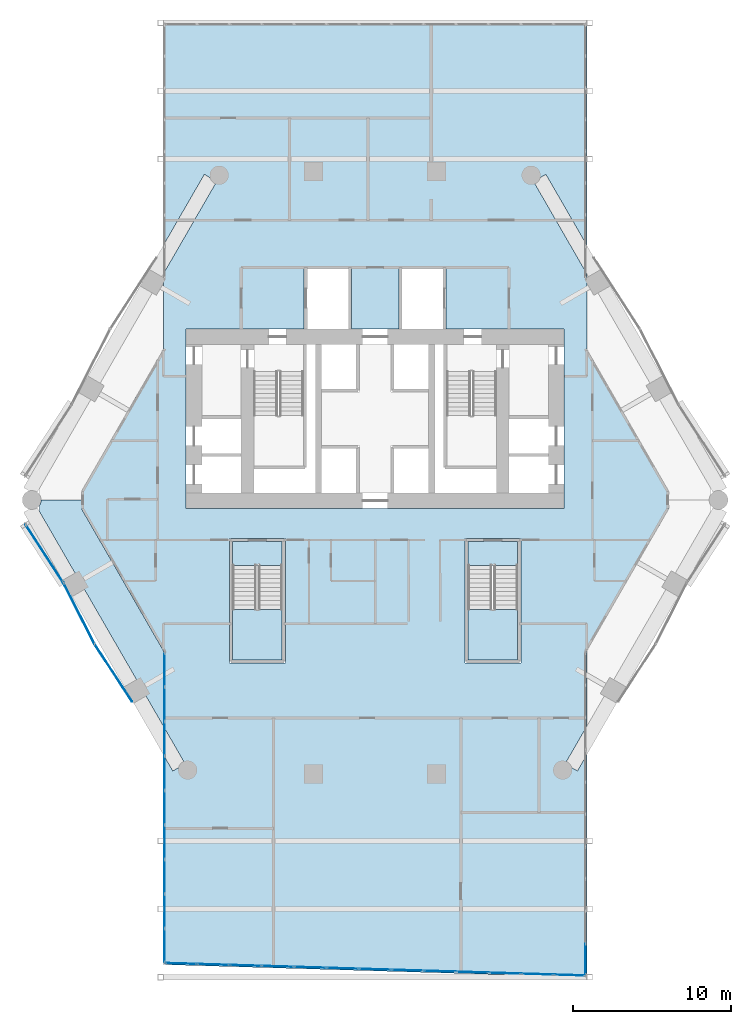
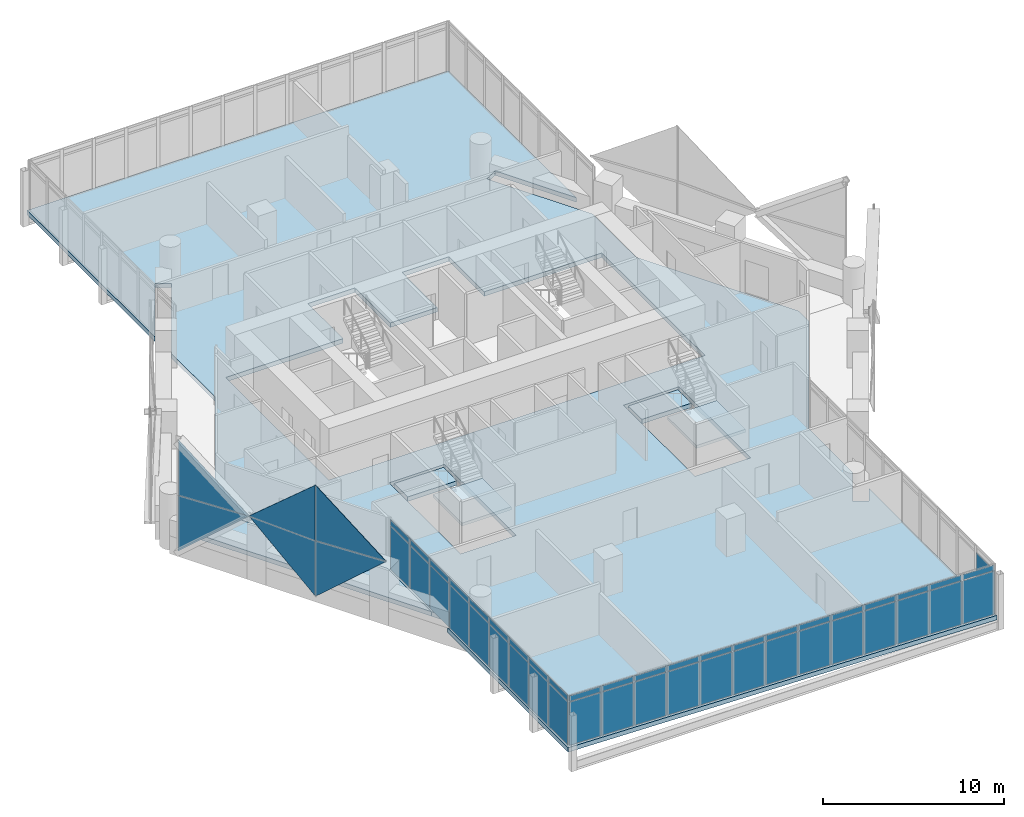
# One storey, part 24 of 36: 51 plates, 6 slabs, 9 elements without a shape of their own.
"""IFC4 building model written with IfcOpenShell, lengths in metres."""

from ifc_helpers import new_model, si_unit, direction, frame, origin, origin_2d, place, context, subcontext, project, spatial, polyline, rectangle, outline, extrude, material, layer, layer_set, type_object, element, aggregate, save


model = new_model("IFC4")

# Units and contexts
model_context = context("Model", 3, precision=1e-05, world=origin(), true_north=direction((0.0, 1.0)))
body_context = subcontext(model_context, "Body", "Model", "MODEL_VIEW")
ifc_project = project(units=[si_unit("LENGTHUNIT", "METRE"), si_unit("AREAUNIT", "SQUARE_METRE"), si_unit("VOLUMEUNIT", "CUBIC_METRE"), si_unit("PLANEANGLEUNIT", "RADIAN"), si_unit("MASSUNIT", "GRAM", prefix="KILO")], contexts=[model_context])

# Site, building, storey
site_placement = place(None, origin())
site = spatial("IfcSite", under=ifc_project, at=site_placement, CompositionType="ELEMENT")
building_placement = place(site_placement, origin())
building = spatial("IfcBuilding", under=site, at=building_placement, Name="Ostrander Bayou Hotel Tower", CompositionType="ELEMENT")
storey_placement = place(building_placement, frame((0.0, 0.0, 138.5)))
storey = spatial("IfcBuildingStorey", under=building, at=storey_placement, Name="L34", CompositionType="ELEMENT", Elevation=138.5)

# Curtain wall, plates
ifc_material_1 = material(Name="Aluminium and clear glass", Category="aluminium")
curtain_wall_type_1 = type_object("IfcCurtainWallType", Name="CW-BAR glazed wall", PredefinedType="NOTDEFINED", material=ifc_material_1)
curtain_wall_1_placement = place(storey_placement, origin())
curtain_wall_1 = element("IfcCurtainWall", 1, at=curtain_wall_1_placement, inside=storey, type_object=curtain_wall_type_1, Name="CW-BAR L34:SB3S:E", PredefinedType="NOTDEFINED")
ifc_material_2 = material(Name="Clear laminated glass", Category="glass")
ifc_layer_1 = layer(ifc_material_2, 0.028076171875)
ifc_layer_set_1 = layer_set([ifc_layer_1], Name="CW-BR glazing panel 28 mm")
plate_type_1 = type_object("IfcPlateType", Name="CW-BR glazing panel 28 mm", PredefinedType="CURTAIN_PANEL", material=ifc_layer_set_1)
plate_1_placement = place(storey_placement, frame((-13.3671875, -11.95703125, 0.06005859375), z_axis=(0.0, 0.0, 1.0), x_axis=(0.0, -1.0, 0.0)))
plate_1 = element("IfcPlate", 2, at=plate_1_placement, type_object=plate_type_1, Name="CW-BAR panel 1.1", PredefinedType="CURTAIN_PANEL", context=body_context, shape_type="SweptSolid", body=[
    extrude(rectangle(XDim=2.099365234375, YDim=0.028076171875, at=origin_2d()), origin(), (0.0, 0.0, 1.0), 2.909912109375),
])
plate_2_placement = place(storey_placement, frame((-13.3671875, -11.95703125, 3.02978515625), z_axis=(0.0, 0.0, 1.0), x_axis=(0.0, -1.0, 0.0)))
plate_2 = element("IfcPlate", 3, at=plate_2_placement, type_object=plate_type_1, Name="CW-BAR panel 1.2", PredefinedType="CURTAIN_PANEL", context=body_context, shape_type="SweptSolid", body=[
    extrude(rectangle(XDim=2.099365234375, YDim=0.028076171875, at=origin_2d()), origin(), (0.0, 0.0, 1.0), 0.360107421875),
])
plate_3_placement = place(storey_placement, frame((-13.3671875, -14.13134765625, 0.06005859375), z_axis=(0.0, 0.0, 1.0), x_axis=(0.0, -1.0, 0.0)))
plate_3 = element("IfcPlate", 4, at=plate_3_placement, type_object=plate_type_1, Name="CW-BAR panel 2.1", PredefinedType="CURTAIN_PANEL", context=body_context, shape_type="SweptSolid", body=[
    extrude(rectangle(XDim=2.12939453125, YDim=0.028076171875, at=origin_2d()), origin(), (0.0, 0.0, 1.0), 2.909912109375),
])
plate_4_placement = place(storey_placement, frame((-13.3671875, -14.13134765625, 3.02978515625), z_axis=(0.0, 0.0, 1.0), x_axis=(0.0, -1.0, 0.0)))
plate_4 = element("IfcPlate", 5, at=plate_4_placement, type_object=plate_type_1, Name="CW-BAR panel 2.2", PredefinedType="CURTAIN_PANEL", context=body_context, shape_type="SweptSolid", body=[
    extrude(rectangle(XDim=2.12939453125, YDim=0.028076171875, at=origin_2d()), origin(), (0.0, 0.0, 1.0), 0.360107421875),
])
plate_5_placement = place(storey_placement, frame((-13.3671875, -16.32080078125, 0.06005859375), z_axis=(0.0, 0.0, 1.0), x_axis=(0.0, -1.0, 0.0)))
plate_5 = element("IfcPlate", 6, at=plate_5_placement, type_object=plate_type_1, Name="CW-BAR panel 3.1", PredefinedType="CURTAIN_PANEL", context=body_context, shape_type="SweptSolid", body=[
    extrude(rectangle(XDim=2.12939453125, YDim=0.028076171875, at=origin_2d()), origin(), (0.0, 0.0, 1.0), 2.909912109375),
])
plate_6_placement = place(storey_placement, frame((-13.3671875, -16.32080078125, 3.02978515625), z_axis=(0.0, 0.0, 1.0), x_axis=(0.0, -1.0, 0.0)))
plate_6 = element("IfcPlate", 7, at=plate_6_placement, type_object=plate_type_1, Name="CW-BAR panel 3.2", PredefinedType="CURTAIN_PANEL", context=body_context, shape_type="SweptSolid", body=[
    extrude(rectangle(XDim=2.12939453125, YDim=0.028076171875, at=origin_2d()), origin(), (0.0, 0.0, 1.0), 0.360107421875),
])
plate_7_placement = place(storey_placement, frame((-13.3671875, -18.51025390625, 0.06005859375), z_axis=(0.0, 0.0, 1.0), x_axis=(0.0, -1.0, 0.0)))
plate_7 = element("IfcPlate", 8, at=plate_7_placement, type_object=plate_type_1, Name="CW-BAR panel 4.1", PredefinedType="CURTAIN_PANEL", context=body_context, shape_type="SweptSolid", body=[
    extrude(rectangle(XDim=2.12939453125, YDim=0.028076171875, at=origin_2d()), origin(), (0.0, 0.0, 1.0), 2.909912109375),
])
plate_8_placement = place(storey_placement, frame((-13.3671875, -18.51025390625, 3.02978515625), z_axis=(0.0, 0.0, 1.0), x_axis=(0.0, -1.0, 0.0)))
plate_8 = element("IfcPlate", 9, at=plate_8_placement, type_object=plate_type_1, Name="CW-BAR panel 4.2", PredefinedType="CURTAIN_PANEL", context=body_context, shape_type="SweptSolid", body=[
    extrude(rectangle(XDim=2.12939453125, YDim=0.028076171875, at=origin_2d()), origin(), (0.0, 0.0, 1.0), 0.360107421875),
])
plate_9_placement = place(storey_placement, frame((-13.3671875, -20.69970703125, 0.06005859375), z_axis=(0.0, 0.0, 1.0), x_axis=(0.0, -1.0, 0.0)))
plate_9 = element("IfcPlate", 10, at=plate_9_placement, type_object=plate_type_1, Name="CW-BAR panel 5.1", PredefinedType="CURTAIN_PANEL", context=body_context, shape_type="SweptSolid", body=[
    extrude(rectangle(XDim=2.12939453125, YDim=0.028076171875, at=origin_2d()), origin(), (0.0, 0.0, 1.0), 2.909912109375),
])
plate_10_placement = place(storey_placement, frame((-13.3671875, -20.69970703125, 3.02978515625), z_axis=(0.0, 0.0, 1.0), x_axis=(0.0, -1.0, 0.0)))
plate_10 = element("IfcPlate", 11, at=plate_10_placement, type_object=plate_type_1, Name="CW-BAR panel 5.2", PredefinedType="CURTAIN_PANEL", context=body_context, shape_type="SweptSolid", body=[
    extrude(rectangle(XDim=2.12939453125, YDim=0.028076171875, at=origin_2d()), origin(), (0.0, 0.0, 1.0), 0.360107421875),
])
plate_11_placement = place(storey_placement, frame((-13.3671875, -22.88916015625, 0.06005859375), z_axis=(0.0, 0.0, 1.0), x_axis=(0.0, -1.0, 0.0)))
plate_11 = element("IfcPlate", 12, at=plate_11_placement, type_object=plate_type_1, Name="CW-BAR panel 6.1", PredefinedType="CURTAIN_PANEL", context=body_context, shape_type="SweptSolid", body=[
    extrude(rectangle(XDim=2.12939453125, YDim=0.028076171875, at=origin_2d()), origin(), (0.0, 0.0, 1.0), 2.909912109375),
])
plate_12_placement = place(storey_placement, frame((-13.3671875, -22.88916015625, 3.02978515625), z_axis=(0.0, 0.0, 1.0), x_axis=(0.0, -1.0, 0.0)))
plate_12 = element("IfcPlate", 13, at=plate_12_placement, type_object=plate_type_1, Name="CW-BAR panel 6.2", PredefinedType="CURTAIN_PANEL", context=body_context, shape_type="SweptSolid", body=[
    extrude(rectangle(XDim=2.12939453125, YDim=0.028076171875, at=origin_2d()), origin(), (0.0, 0.0, 1.0), 0.360107421875),
])
plate_13_placement = place(storey_placement, frame((-13.3671875, -25.07861328125, 0.06005859375), z_axis=(0.0, 0.0, 1.0), x_axis=(0.0, -1.0, 0.0)))
plate_13 = element("IfcPlate", 14, at=plate_13_placement, type_object=plate_type_1, Name="CW-BAR panel 7.1", PredefinedType="CURTAIN_PANEL", context=body_context, shape_type="SweptSolid", body=[
    extrude(rectangle(XDim=2.12939453125, YDim=0.028076171875, at=origin_2d()), origin(), (0.0, 0.0, 1.0), 2.909912109375),
])
plate_14_placement = place(storey_placement, frame((-13.3671875, -25.07861328125, 3.02978515625), z_axis=(0.0, 0.0, 1.0), x_axis=(0.0, -1.0, 0.0)))
plate_14 = element("IfcPlate", 15, at=plate_14_placement, type_object=plate_type_1, Name="CW-BAR panel 7.2", PredefinedType="CURTAIN_PANEL", context=body_context, shape_type="SweptSolid", body=[
    extrude(rectangle(XDim=2.12939453125, YDim=0.028076171875, at=origin_2d()), origin(), (0.0, 0.0, 1.0), 0.360107421875),
])
plate_15_placement = place(storey_placement, frame((-13.3671875, -27.26806640625, 0.06005859375), z_axis=(0.0, 0.0, 1.0), x_axis=(0.0, -1.0, 0.0)))
plate_15 = element("IfcPlate", 16, at=plate_15_placement, type_object=plate_type_1, Name="CW-BAR panel 8.1", PredefinedType="CURTAIN_PANEL", context=body_context, shape_type="SweptSolid", body=[
    extrude(rectangle(XDim=2.12939453125, YDim=0.028076171875, at=origin_2d()), origin(), (0.0, 0.0, 1.0), 2.909912109375),
])
plate_16_placement = place(storey_placement, frame((-13.3671875, -27.26806640625, 3.02978515625), z_axis=(0.0, 0.0, 1.0), x_axis=(0.0, -1.0, 0.0)))
plate_16 = element("IfcPlate", 17, at=plate_16_placement, type_object=plate_type_1, Name="CW-BAR panel 8.2", PredefinedType="CURTAIN_PANEL", context=body_context, shape_type="SweptSolid", body=[
    extrude(rectangle(XDim=2.12939453125, YDim=0.028076171875, at=origin_2d()), origin(), (0.0, 0.0, 1.0), 0.360107421875),
])
plate_17_placement = place(storey_placement, frame((-13.3671875, -29.4423828125, 0.06005859375), z_axis=(0.0, 0.0, 1.0), x_axis=(0.0, -1.0, 0.0)))
plate_17 = element("IfcPlate", 18, at=plate_17_placement, type_object=plate_type_1, Name="CW-BAR panel 9.1", PredefinedType="CURTAIN_PANEL", context=body_context, shape_type="SweptSolid", body=[
    extrude(rectangle(XDim=2.099365234375, YDim=0.028076171875, at=origin_2d()), origin(), (0.0, 0.0, 1.0), 2.909912109375),
])
plate_18_placement = place(storey_placement, frame((-13.3671875, -29.4423828125, 3.02978515625), z_axis=(0.0, 0.0, 1.0), x_axis=(0.0, -1.0, 0.0)))
plate_18 = element("IfcPlate", 19, at=plate_18_placement, type_object=plate_type_1, Name="CW-BAR panel 9.2", PredefinedType="CURTAIN_PANEL", context=body_context, shape_type="SweptSolid", body=[
    extrude(rectangle(XDim=2.099365234375, YDim=0.028076171875, at=origin_2d()), origin(), (0.0, 0.0, 1.0), 0.360107421875),
])
aggregate(curtain_wall_1, [plate_1, plate_2, plate_3, plate_4, plate_5, plate_6, plate_7, plate_8, plate_9, plate_10, plate_11, plate_12, plate_13, plate_14, plate_15, plate_16, plate_17, plate_18])

curtain_wall_2_placement = place(storey_placement, origin())
curtain_wall_2 = element("IfcCurtainWall", 20, at=curtain_wall_2_placement, inside=storey, type_object=curtain_wall_type_1, Name="CW-BAR L34:SB3S:T", PredefinedType="NOTDEFINED")
plate_19_placement = place(storey_placement, frame((-12.323974609375, -30.583251953125, 0.06005859375), z_axis=(0.0, 0.0, 1.0), x_axis=(0.999557482631, -0.029746242041, 0.0)))
plate_19 = element("IfcPlate", 21, at=plate_19_placement, type_object=plate_type_1, Name="CW-BAR panel 1.1", PredefinedType="CURTAIN_PANEL", context=body_context, shape_type="SweptSolid", body=[
    extrude(rectangle(XDim=1.96728515625, YDim=0.028076171875, at=origin_2d()), origin(), (0.0, 0.0, 1.0), 2.909912109375),
])
plate_20_placement = place(storey_placement, frame((-12.323974609375, -30.583251953125, 3.02978515625), z_axis=(0.0, 0.0, 1.0), x_axis=(0.999557482631, -0.029746242041, 0.0)))
plate_20 = element("IfcPlate", 22, at=plate_20_placement, type_object=plate_type_1, Name="CW-BAR panel 1.2", PredefinedType="CURTAIN_PANEL", context=body_context, shape_type="SweptSolid", body=[
    extrude(rectangle(XDim=1.96728515625, YDim=0.028076171875, at=origin_2d()), origin(), (0.0, 0.0, 1.0), 0.360107421875),
])
plate_21_placement = place(storey_placement, frame((-10.282470703125, -30.64404296875, 0.06005859375), z_axis=(0.0, 0.0, 1.0), x_axis=(0.999557482631, -0.029746242041, 0.0)))
plate_21 = element("IfcPlate", 23, at=plate_21_placement, type_object=plate_type_1, Name="CW-BAR panel 2.1", PredefinedType="CURTAIN_PANEL", context=body_context, shape_type="SweptSolid", body=[
    extrude(rectangle(XDim=1.997314453125, YDim=0.028076171875, at=origin_2d()), origin(), (0.0, 0.0, 1.0), 2.909912109375),
])
plate_22_placement = place(storey_placement, frame((-10.282470703125, -30.64404296875, 3.02978515625), z_axis=(0.0, 0.0, 1.0), x_axis=(0.999557482631, -0.029746242041, 0.0)))
plate_22 = element("IfcPlate", 24, at=plate_22_placement, type_object=plate_type_1, Name="CW-BAR panel 2.2", PredefinedType="CURTAIN_PANEL", context=body_context, shape_type="SweptSolid", body=[
    extrude(rectangle(XDim=1.997314453125, YDim=0.028076171875, at=origin_2d()), origin(), (0.0, 0.0, 1.0), 0.360107421875),
])
plate_23_placement = place(storey_placement, frame((-8.22607421875, -30.705078125, 0.06005859375), z_axis=(0.0, 0.0, 1.0), x_axis=(0.999557482631, -0.029746242041, 0.0)))
plate_23 = element("IfcPlate", 25, at=plate_23_placement, type_object=plate_type_1, Name="CW-BAR panel 3.1", PredefinedType="CURTAIN_PANEL", context=body_context, shape_type="SweptSolid", body=[
    extrude(rectangle(XDim=1.997314453125, YDim=0.028076171875, at=origin_2d()), origin(), (0.0, 0.0, 1.0), 2.909912109375),
])
plate_24_placement = place(storey_placement, frame((-8.22607421875, -30.705078125, 3.02978515625), z_axis=(0.0, 0.0, 1.0), x_axis=(0.999557482631, -0.029746242041, 0.0)))
plate_24 = element("IfcPlate", 26, at=plate_24_placement, type_object=plate_type_1, Name="CW-BAR panel 3.2", PredefinedType="CURTAIN_PANEL", context=body_context, shape_type="SweptSolid", body=[
    extrude(rectangle(XDim=1.997314453125, YDim=0.028076171875, at=origin_2d()), origin(), (0.0, 0.0, 1.0), 0.360107421875),
])
plate_25_placement = place(storey_placement, frame((-6.16943359375, -30.766357421875, 0.06005859375), z_axis=(0.0, 0.0, 1.0), x_axis=(0.999557482631, -0.029746242041, 0.0)))
plate_25 = element("IfcPlate", 27, at=plate_25_placement, type_object=plate_type_1, Name="CW-BAR panel 4.1", PredefinedType="CURTAIN_PANEL", context=body_context, shape_type="SweptSolid", body=[
    extrude(rectangle(XDim=1.997314453125, YDim=0.028076171875, at=origin_2d()), origin(), (0.0, 0.0, 1.0), 2.909912109375),
])
plate_26_placement = place(storey_placement, frame((-6.16943359375, -30.766357421875, 3.02978515625), z_axis=(0.0, 0.0, 1.0), x_axis=(0.999557482631, -0.029746242041, 0.0)))
plate_26 = element("IfcPlate", 28, at=plate_26_placement, type_object=plate_type_1, Name="CW-BAR panel 4.2", PredefinedType="CURTAIN_PANEL", context=body_context, shape_type="SweptSolid", body=[
    extrude(rectangle(XDim=1.997314453125, YDim=0.028076171875, at=origin_2d()), origin(), (0.0, 0.0, 1.0), 0.360107421875),
])
plate_27_placement = place(storey_placement, frame((-4.113037109375, -30.82763671875, 0.06005859375), z_axis=(0.0, 0.0, 1.0), x_axis=(0.999557482631, -0.029746242041, 0.0)))
plate_27 = element("IfcPlate", 29, at=plate_27_placement, type_object=plate_type_1, Name="CW-BAR panel 5.1", PredefinedType="CURTAIN_PANEL", context=body_context, shape_type="SweptSolid", body=[
    extrude(rectangle(XDim=1.997314453125, YDim=0.028076171875, at=origin_2d()), origin(), (0.0, 0.0, 1.0), 2.909912109375),
])
plate_28_placement = place(storey_placement, frame((-4.113037109375, -30.82763671875, 3.02978515625), z_axis=(0.0, 0.0, 1.0), x_axis=(0.999557482631, -0.029746242041, 0.0)))
plate_28 = element("IfcPlate", 30, at=plate_28_placement, type_object=plate_type_1, Name="CW-BAR panel 5.2", PredefinedType="CURTAIN_PANEL", context=body_context, shape_type="SweptSolid", body=[
    extrude(rectangle(XDim=1.997314453125, YDim=0.028076171875, at=origin_2d()), origin(), (0.0, 0.0, 1.0), 0.360107421875),
])
plate_29_placement = place(storey_placement, frame((-2.056396484375, -30.888916015625, 0.06005859375), z_axis=(0.0, 0.0, 1.0), x_axis=(0.999557482631, -0.029746242041, 0.0)))
plate_29 = element("IfcPlate", 31, at=plate_29_placement, type_object=plate_type_1, Name="CW-BAR panel 6.1", PredefinedType="CURTAIN_PANEL", context=body_context, shape_type="SweptSolid", body=[
    extrude(rectangle(XDim=1.997314453125, YDim=0.028076171875, at=origin_2d()), origin(), (0.0, 0.0, 1.0), 2.909912109375),
])
plate_30_placement = place(storey_placement, frame((-2.056396484375, -30.888916015625, 3.02978515625), z_axis=(0.0, 0.0, 1.0), x_axis=(0.999557482631, -0.029746242041, 0.0)))
plate_30 = element("IfcPlate", 32, at=plate_30_placement, type_object=plate_type_1, Name="CW-BAR panel 6.2", PredefinedType="CURTAIN_PANEL", context=body_context, shape_type="SweptSolid", body=[
    extrude(rectangle(XDim=1.997314453125, YDim=0.028076171875, at=origin_2d()), origin(), (0.0, 0.0, 1.0), 0.360107421875),
])
plate_31_placement = place(storey_placement, frame((0.0, -30.949951171875, 0.06005859375), z_axis=(0.0, 0.0, 1.0), x_axis=(0.999557482631, -0.029746242041, 0.0)))
plate_31 = element("IfcPlate", 33, at=plate_31_placement, type_object=plate_type_1, Name="CW-BAR panel 7.1", PredefinedType="CURTAIN_PANEL", context=body_context, shape_type="SweptSolid", body=[
    extrude(rectangle(XDim=1.997314453125, YDim=0.028076171875, at=origin_2d()), origin(), (0.0, 0.0, 1.0), 2.909912109375),
])
plate_32_placement = place(storey_placement, frame((0.0, -30.949951171875, 3.02978515625), z_axis=(0.0, 0.0, 1.0), x_axis=(0.999557482631, -0.029746242041, 0.0)))
plate_32 = element("IfcPlate", 34, at=plate_32_placement, type_object=plate_type_1, Name="CW-BAR panel 7.2", PredefinedType="CURTAIN_PANEL", context=body_context, shape_type="SweptSolid", body=[
    extrude(rectangle(XDim=1.997314453125, YDim=0.028076171875, at=origin_2d()), origin(), (0.0, 0.0, 1.0), 0.360107421875),
])
plate_33_placement = place(storey_placement, frame((2.056396484375, -31.01123046875, 0.06005859375), z_axis=(0.0, 0.0, 1.0), x_axis=(0.999557482631, -0.029746242041, 0.0)))
plate_33 = element("IfcPlate", 35, at=plate_33_placement, type_object=plate_type_1, Name="CW-BAR panel 8.1", PredefinedType="CURTAIN_PANEL", context=body_context, shape_type="SweptSolid", body=[
    extrude(rectangle(XDim=1.997314453125, YDim=0.028076171875, at=origin_2d()), origin(), (0.0, 0.0, 1.0), 2.909912109375),
])
plate_34_placement = place(storey_placement, frame((2.056396484375, -31.01123046875, 3.02978515625), z_axis=(0.0, 0.0, 1.0), x_axis=(0.999557482631, -0.029746242041, 0.0)))
plate_34 = element("IfcPlate", 36, at=plate_34_placement, type_object=plate_type_1, Name="CW-BAR panel 8.2", PredefinedType="CURTAIN_PANEL", context=body_context, shape_type="SweptSolid", body=[
    extrude(rectangle(XDim=1.997314453125, YDim=0.028076171875, at=origin_2d()), origin(), (0.0, 0.0, 1.0), 0.360107421875),
])
plate_35_placement = place(storey_placement, frame((4.113037109375, -31.072509765625, 0.06005859375), z_axis=(0.0, 0.0, 1.0), x_axis=(0.999557482631, -0.029746242041, 0.0)))
plate_35 = element("IfcPlate", 37, at=plate_35_placement, type_object=plate_type_1, Name="CW-BAR panel 9.1", PredefinedType="CURTAIN_PANEL", context=body_context, shape_type="SweptSolid", body=[
    extrude(rectangle(XDim=1.997314453125, YDim=0.028076171875, at=origin_2d()), origin(), (0.0, 0.0, 1.0), 2.909912109375),
])
plate_36_placement = place(storey_placement, frame((4.113037109375, -31.072509765625, 3.02978515625), z_axis=(0.0, 0.0, 1.0), x_axis=(0.999557482631, -0.029746242041, 0.0)))
plate_36 = element("IfcPlate", 38, at=plate_36_placement, type_object=plate_type_1, Name="CW-BAR panel 9.2", PredefinedType="CURTAIN_PANEL", context=body_context, shape_type="SweptSolid", body=[
    extrude(rectangle(XDim=1.997314453125, YDim=0.028076171875, at=origin_2d()), origin(), (0.0, 0.0, 1.0), 0.360107421875),
])
plate_37_placement = place(storey_placement, frame((6.16943359375, -31.133544921875, 0.06005859375), z_axis=(0.0, 0.0, 1.0), x_axis=(0.999557482631, -0.029746242041, 0.0)))
plate_37 = element("IfcPlate", 39, at=plate_37_placement, type_object=plate_type_1, Name="CW-BAR panel 10.1", PredefinedType="CURTAIN_PANEL", context=body_context, shape_type="SweptSolid", body=[
    extrude(rectangle(XDim=1.997314453125, YDim=0.028076171875, at=origin_2d()), origin(), (0.0, 0.0, 1.0), 2.909912109375),
])
plate_38_placement = place(storey_placement, frame((6.16943359375, -31.133544921875, 3.02978515625), z_axis=(0.0, 0.0, 1.0), x_axis=(0.999557482631, -0.029746242041, 0.0)))
plate_38 = element("IfcPlate", 40, at=plate_38_placement, type_object=plate_type_1, Name="CW-BAR panel 10.2", PredefinedType="CURTAIN_PANEL", context=body_context, shape_type="SweptSolid", body=[
    extrude(rectangle(XDim=1.997314453125, YDim=0.028076171875, at=origin_2d()), origin(), (0.0, 0.0, 1.0), 0.360107421875),
])
plate_39_placement = place(storey_placement, frame((8.22607421875, -31.19482421875, 0.06005859375), z_axis=(0.0, 0.0, 1.0), x_axis=(0.999557482631, -0.029746242041, 0.0)))
plate_39 = element("IfcPlate", 41, at=plate_39_placement, type_object=plate_type_1, Name="CW-BAR panel 11.1", PredefinedType="CURTAIN_PANEL", context=body_context, shape_type="SweptSolid", body=[
    extrude(rectangle(XDim=1.997314453125, YDim=0.028076171875, at=origin_2d()), origin(), (0.0, 0.0, 1.0), 2.909912109375),
])
plate_40_placement = place(storey_placement, frame((8.22607421875, -31.19482421875, 3.02978515625), z_axis=(0.0, 0.0, 1.0), x_axis=(0.999557482631, -0.029746242041, 0.0)))
plate_40 = element("IfcPlate", 42, at=plate_40_placement, type_object=plate_type_1, Name="CW-BAR panel 11.2", PredefinedType="CURTAIN_PANEL", context=body_context, shape_type="SweptSolid", body=[
    extrude(rectangle(XDim=1.997314453125, YDim=0.028076171875, at=origin_2d()), origin(), (0.0, 0.0, 1.0), 0.360107421875),
])
plate_41_placement = place(storey_placement, frame((10.282470703125, -31.256103515625, 0.06005859375), z_axis=(0.0, 0.0, 1.0), x_axis=(0.999557482631, -0.029746242041, 0.0)))
plate_41 = element("IfcPlate", 43, at=plate_41_placement, type_object=plate_type_1, Name="CW-BAR panel 12.1", PredefinedType="CURTAIN_PANEL", context=body_context, shape_type="SweptSolid", body=[
    extrude(rectangle(XDim=1.997314453125, YDim=0.028076171875, at=origin_2d()), origin(), (0.0, 0.0, 1.0), 2.909912109375),
])
plate_42_placement = place(storey_placement, frame((10.282470703125, -31.256103515625, 3.02978515625), z_axis=(0.0, 0.0, 1.0), x_axis=(0.999557482631, -0.029746242041, 0.0)))
plate_42 = element("IfcPlate", 44, at=plate_42_placement, type_object=plate_type_1, Name="CW-BAR panel 12.2", PredefinedType="CURTAIN_PANEL", context=body_context, shape_type="SweptSolid", body=[
    extrude(rectangle(XDim=1.997314453125, YDim=0.028076171875, at=origin_2d()), origin(), (0.0, 0.0, 1.0), 0.360107421875),
])
plate_43_placement = place(storey_placement, frame((12.323974609375, -31.316650390625, 0.06005859375), z_axis=(0.0, 0.0, 1.0), x_axis=(0.999557482631, -0.029746242041, 0.0)))
plate_43 = element("IfcPlate", 45, at=plate_43_placement, type_object=plate_type_1, Name="CW-BAR panel 13.1", PredefinedType="CURTAIN_PANEL", context=body_context, shape_type="SweptSolid", body=[
    extrude(rectangle(XDim=1.96728515625, YDim=0.028076171875, at=origin_2d()), origin(), (0.0, 0.0, 1.0), 2.909912109375),
])
plate_44_placement = place(storey_placement, frame((12.323974609375, -31.316650390625, 3.02978515625), z_axis=(0.0, 0.0, 1.0), x_axis=(0.999557482631, -0.029746242041, 0.0)))
plate_44 = element("IfcPlate", 46, at=plate_44_placement, type_object=plate_type_1, Name="CW-BAR panel 13.2", PredefinedType="CURTAIN_PANEL", context=body_context, shape_type="SweptSolid", body=[
    extrude(rectangle(XDim=1.96728515625, YDim=0.028076171875, at=origin_2d()), origin(), (0.0, 0.0, 1.0), 0.360107421875),
])
aggregate(curtain_wall_2, [plate_19, plate_20, plate_21, plate_22, plate_23, plate_24, plate_25, plate_26, plate_27, plate_28, plate_29, plate_30, plate_31, plate_32, plate_33, plate_34, plate_35, plate_36, plate_37, plate_38, plate_39, plate_40, plate_41, plate_42, plate_43, plate_44])

# Curtain wall, plate
curtain_wall_3_placement = place(storey_placement, origin())
curtain_wall_3 = element("IfcCurtainWall", 47, at=curtain_wall_3_placement, inside=storey, type_object=curtain_wall_type_1, Name="CW-BAR L34:SB3S:W", PredefinedType="NOTDEFINED")
plate_45_placement = place(storey_placement, frame((13.3671875, -30.307861328125, 0.06005859375), z_axis=(0.0, 0.0, 1.0), x_axis=(0.0, -1.0, 0.0)))
plate_45 = element("IfcPlate", 48, at=plate_45_placement, type_object=plate_type_1, Name="CW-BAR panel 10.1", PredefinedType="CURTAIN_PANEL", context=body_context, shape_type="SweptSolid", body=[
    extrude(rectangle(XDim=1.9599609375, YDim=0.028076171875, at=origin_2d()), origin(), (0.0, 0.0, 1.0), 2.909912109375),
])
aggregate(curtain_wall_3, [plate_45])

ifc_material_3 = material(Name="Aluminium and clear glass", Category="aluminium")
curtain_wall_type_2 = type_object("IfcCurtainWallType", Name="CW-LAT lattice glazing", PredefinedType="NOTDEFINED", material=ifc_material_3)
curtain_wall_4_placement = place(storey_placement, origin())
curtain_wall_4 = element("IfcCurtainWall", 49, at=curtain_wall_4_placement, inside=storey, type_object=curtain_wall_type_2, Name="CW-LAT L34 SW 3", PredefinedType="NOTDEFINED")
ifc_material_4 = material(Name="Clear laminated glass", Category="glass")
ifc_layer_2 = layer(ifc_material_4, 0.028076171875)
ifc_layer_set_2 = layer_set([ifc_layer_2], Name="CW-LA glazing panel 28 mm")
plate_type_2 = type_object("IfcPlateType", Name="CW-LA glazing panel 28 mm", PredefinedType="CURTAIN_PANEL", material=ifc_layer_set_2)
plate_46_placement = place(storey_placement, frame((-19.802978515625, -6.3818359375, 3.14990234375), z_axis=(0.838677835044, 0.544627844501, 0.0), x_axis=(-0.413732210593, 0.637110346399, -0.650319970806)))
plate_46 = element("IfcPlate", 50, at=plate_46_placement, type_object=plate_type_2, Name="CW-LAT panel 1", PredefinedType="CURTAIN_PANEL", context=body_context, shape_type="SweptSolid", body=[
    extrude(outline(polyline([(0.0, 0.0), (5.766392188991165, 4.440892098500626e-16), (3.327692298469106, 2.8487265302179683), (0.0, 0.0)])), origin(), (0.0, 0.0, -1.0), 0.028076171875),
])

curtain_wall_5_placement = place(storey_placement, origin())
curtain_wall_5 = element("IfcCurtainWall", 51, at=curtain_wall_5_placement, inside=storey, type_object=curtain_wall_type_2, Name="CW-LAT L34 SW 4", PredefinedType="NOTDEFINED")
plate_47_placement = place(storey_placement, frame((-19.802978515625, -6.3818359375, 3.14990234375), z_axis=(-0.838677835044, -0.544627844501, 0.0), x_axis=(-0.413732210593, 0.637110346399, 0.650319970806)))
plate_47 = element("IfcPlate", 52, at=plate_47_placement, type_object=plate_type_2, Name="CW-LAT panel 2", PredefinedType="CURTAIN_PANEL", context=body_context, shape_type="SweptSolid", body=[
    extrude(outline(polyline([(0.0, 0.0), (5.766392188991165, 4.440892098500626e-16), (3.327692298469106, 2.8487265302179683), (0.0, 0.0)])), origin(), (0.0, 0.0, -1.0), 0.028076171875),
])

curtain_wall_6_placement = place(storey_placement, origin())
curtain_wall_6 = element("IfcCurtainWall", 53, at=curtain_wall_6_placement, inside=storey, type_object=curtain_wall_type_2, Name="CW-LAT L34 SW 1", PredefinedType="NOTDEFINED")
plate_48_placement = place(storey_placement, frame((-19.802978515625, -6.3818359375, 3.14990234375), z_axis=(-0.891001640136, -0.454000085104, 0.0), x_axis=(0.344887520245, -0.676861869157, -0.650315775959)))
plate_48 = element("IfcPlate", 54, at=plate_48_placement, type_object=plate_type_2, Name="CW-LAT panel 3", PredefinedType="CURTAIN_PANEL", context=body_context, shape_type="SweptSolid", body=[
    extrude(outline(polyline([(0.0, 0.0), (5.766429384973577, 0.0), (3.327745225128544, 2.848739996651313), (0.0, 0.0)])), origin(), (0.0, 0.0, -1.0), 0.028076171875),
])
aggregate(curtain_wall_6, [plate_48])

curtain_wall_7_placement = place(storey_placement, origin())
curtain_wall_7 = element("IfcCurtainWall", 55, at=curtain_wall_7_placement, inside=storey, type_object=curtain_wall_type_2, Name="CW-LAT L34 SW 2", PredefinedType="NOTDEFINED")
plate_49_placement = place(storey_placement, frame((-19.802978515625, -6.3818359375, 3.14990234375), z_axis=(0.891001640136, 0.454000085104, 0.0), x_axis=(0.344887520245, -0.676861869157, 0.650315775959)))
plate_49 = element("IfcPlate", 56, at=plate_49_placement, type_object=plate_type_2, Name="CW-LAT panel 4", PredefinedType="CURTAIN_PANEL", context=body_context, shape_type="SweptSolid", body=[
    extrude(outline(polyline([(0.0, 0.0), (5.766429384973577, 0.0), (3.327745225128544, 2.848739996651313), (0.0, 0.0)])), origin(), (0.0, 0.0, -1.0), 0.028076171875),
])
aggregate(curtain_wall_7, [plate_49])

# Plate
plate_50_placement = place(storey_placement, frame((-15.42822265625, -13.958984375, 3.14990234375), z_axis=(0.83866891002, 0.544641587988, 0.0), x_axis=(-0.413756140319, 0.637124338039, -0.650291038095)))
plate_50 = element("IfcPlate", 57, at=plate_50_placement, type_object=plate_type_2, Name="CW-LAT panel 5", PredefinedType="CURTAIN_PANEL", context=body_context, shape_type="SweptSolid", body=[
    extrude(outline(polyline([(0.0, 0.0), (5.76664874697898, 0.0), (3.3280573541241556, 2.848819407876597), (0.0, 0.0)])), origin(), (0.0, 0.0, -1.0), 0.028076171875),
])

aggregate(curtain_wall_4, [plate_46, plate_50])

plate_51_placement = place(storey_placement, frame((-15.42822265625, -13.958984375, 3.14990234375), z_axis=(-0.83866891002, -0.544641587988, 0.0), x_axis=(-0.413756140319, 0.637124338039, 0.650291038095)))
plate_51 = element("IfcPlate", 58, at=plate_51_placement, type_object=plate_type_2, Name="CW-LAT panel 6", PredefinedType="CURTAIN_PANEL", context=body_context, shape_type="SweptSolid", body=[
    extrude(outline(polyline([(0.0, 0.0), (5.76664874697898, 0.0), (3.3280573541241556, 2.848819407876597), (0.0, 0.0)])), origin(), (0.0, 0.0, -1.0), 0.028076171875),
])

aggregate(curtain_wall_5, [plate_47, plate_51])

# Slabs
ifc_material_5 = material(Name="Concrete f'c 40 MPa", Category="concrete")
ifc_layer_3 = layer(ifc_material_5, 0.300048828125)
ifc_layer_set_3 = layer_set([ifc_layer_3], Name="SL1 floor slab 300 mm f'c 40 MPa")
slab_type_1 = type_object("IfcSlabType", Name="SL1 floor slab 300 mm f'c 40 MPa", PredefinedType="FLOOR", material=ifc_layer_set_3)
slab_1_placement = place(storey_placement, frame((0.0, 0.0, -0.300048828125)))
element("IfcSlab", 59, at=slab_1_placement, inside=storey, type_object=slab_type_1, Name="SL1 L34 1", PredefinedType="FLOOR", context=body_context, shape_type="SweptSolid", body=[
    extrude(outline(polyline([(-12.84326171875, -18.35498046875), (-12.063720703125, -17.90478515625), (-13.442138671875, -15.517333984375), (-13.442138671875, -10.71728515625), (-18.61572265625, -1.756591796875), (-18.61572265625, -0.556396484375), (-13.442138671875, 8.404541015625), (-13.442138671875, 13.20458984375), (-10.060791015625, 19.061279296875), (-10.840087890625, 19.511474609375), (-13.442138671875, 15.00439453125), (-13.442138671875, 29.13720703125), (13.442138671875, 29.13720703125), (13.442138671875, 15.00439453125), (10.840087890625, 19.511474609375), (10.060791015625, 19.061279296875), (13.442138671875, 13.20458984375), (13.442138671875, 8.404541015625), (18.61572265625, -0.556396484375), (18.61572265625, -1.756591796875), (13.442138671875, -10.71728515625), (13.442138671875, -15.517333984375), (12.063720703125, -17.90478515625), (12.84326171875, -18.35498046875), (13.442138671875, -17.3173828125), (13.442138671875, -31.449951171875), (-13.442138671875, -30.64990234375), (-13.442138671875, -17.3173828125), (-12.84326171875, -18.35498046875)]), holes=[polyline([(-12.0, -1.699951171875), (12.0, -1.699951171875), (12.0, 9.699951171875), (4.5, 9.699951171875), (4.5, 13.60009765625), (1.5, 13.60009765625), (1.5, 9.699951171875), (-1.5, 9.699951171875), (-1.5, 13.60009765625), (-4.5, 13.60009765625), (-4.5, 9.699951171875), (-12.0, 9.699951171875), (-12.0, -1.699951171875)]), polyline([(9.25, -3.60009765625), (5.699951171875, -3.60009765625), (5.699951171875, -11.5), (9.25, -11.5), (9.25, -3.60009765625)]), polyline([(-5.699951171875, -3.60009765625), (-9.25, -3.60009765625), (-9.25, -11.5), (-5.699951171875, -11.5), (-5.699951171875, -3.60009765625)])]), origin(), (0.0, 0.0, 1.0), 0.300048828125),
])
slab_2_placement = place(storey_placement, frame((0.0, 0.0, -0.300048828125)))
element("IfcSlab", 60, at=slab_2_placement, inside=storey, type_object=slab_type_1, Name="cslab:L34:006", PredefinedType="FLOOR", context=body_context, shape_type="SweptSolid", body=[
    extrude(outline(polyline([(9.050048828125, -5.300048828125), (9.050048828125, -3.800048828125), (5.89990234375, -3.800048828125), (5.89990234375, -5.300048828125), (9.050048828125, -5.300048828125)])), origin(), (0.0, 0.0, 1.0), 0.300048828125),
])
slab_3_placement = place(storey_placement, frame((0.0, 0.0, -0.300048828125)))
element("IfcSlab", 61, at=slab_3_placement, inside=storey, type_object=slab_type_1, Name="cslab:L34:007", PredefinedType="FLOOR", context=body_context, shape_type="SweptSolid", body=[
    extrude(outline(polyline([(-5.89990234375, -5.300048828125), (-5.89990234375, -3.800048828125), (-9.050048828125, -3.800048828125), (-9.050048828125, -5.300048828125), (-5.89990234375, -5.300048828125)])), origin(), (0.0, 0.0, 1.0), 0.300048828125),
])
ifc_material_6 = material(Name="Concrete f'c 40 MPa", Category="concrete")
ifc_layer_4 = layer(ifc_material_6, 0.300048828125)
ifc_layer_set_4 = layer_set([ifc_layer_4], Name="SL4 loggia slab 300 mm f'c 40 MPa")
slab_type_2 = type_object("IfcSlabType", Name="SL4 loggia slab 300 mm f'c 40 MPa", PredefinedType="FLOOR", material=ifc_layer_set_4)
slab_4_placement = place(storey_placement, frame((0.0, 0.0, -0.300048828125)))
element("IfcSlab", 62, at=slab_4_placement, inside=storey, type_object=slab_type_2, Name="SL4 LOGGIA L34 SW 1", PredefinedType="FLOOR", context=body_context, shape_type="SweptSolid", body=[
    extrude(outline(polyline([(-13.442138671875, -15.517333984375), (-14.5625, -13.576904296875), (-15.132568359375, -12.589599609375), (-18.46923828125, -6.810302734375), (-19.039306640625, -5.822998046875), (-21.300537109375, -1.906494140625), (-21.300537109375, -1.48583984375), (-21.2470703125, -1.385986328125), (-21.212890625, -1.2734375), (-21.201416015625, -1.156494140625), (-18.61572265625, -1.156494140625), (-18.61572265625, -1.756591796875), (-13.442138671875, -10.71728515625), (-13.442138671875, -15.517333984375)])), origin(), (0.0, 0.0, 1.0), 0.300048828125),
])

# Stair, slab
ifc_material_7 = material(Name="Concrete f'c 45 MPa", Category="concrete")
stair_type = type_object("IfcStairType", Name="ST1 exit stair 1500 mm f'c 45 MPa", PredefinedType="HALF_TURN_STAIR", material=ifc_material_7)
stair_1_placement = place(storey_placement, origin())
stair_1 = element("IfcStair", 63, at=stair_1_placement, inside=storey, type_object=stair_type, Name="L34 exit stair C", PredefinedType="HALF_TURN_STAIR")
ifc_material_8 = material(Name="Concrete f'c 45 MPa", Category="concrete")
ifc_layer_5 = layer(ifc_material_8, 0.199951171875)
ifc_layer_set_5 = layer_set([ifc_layer_5], Name="SL8 stair landing 200 mm f'c 45 MPa")
slab_type_3 = type_object("IfcSlabType", Name="SL8 stair landing 200 mm f'c 45 MPa", PredefinedType="LANDING", material=ifc_layer_set_5)
slab_5_placement = place(storey_placement, frame((0.0, 0.0, 1.675048828125)))
slab_5 = element("IfcSlab", 64, at=slab_5_placement, type_object=slab_type_3, Name="STC landing 1", PredefinedType="LANDING", context=body_context, shape_type="SweptSolid", body=[
    extrude(outline(polyline([(5.89990234375, -8.10009765625), (5.89990234375, -11.300048828125), (9.050048828125, -11.300048828125), (9.050048828125, -8.10009765625), (5.89990234375, -8.10009765625)])), origin(), (0.0, 0.0, 1.0), 0.199951171875),
])
aggregate(stair_1, [slab_5])

stair_2_placement = place(storey_placement, origin())
stair_2 = element("IfcStair", 65, at=stair_2_placement, inside=storey, type_object=stair_type, Name="L34 exit stair D", PredefinedType="HALF_TURN_STAIR")
slab_6_placement = place(storey_placement, frame((0.0, 0.0, 1.675048828125)))
slab_6 = element("IfcSlab", 66, at=slab_6_placement, type_object=slab_type_3, Name="STD landing 1", PredefinedType="LANDING", context=body_context, shape_type="SweptSolid", body=[
    extrude(outline(polyline([(-9.050048828125, -8.10009765625), (-9.050048828125, -11.300048828125), (-5.89990234375, -11.300048828125), (-5.89990234375, -8.10009765625), (-9.050048828125, -8.10009765625)])), origin(), (0.0, 0.0, 1.0), 0.199951171875),
])
aggregate(stair_2, [slab_6])

save(model, "model.ifc")
